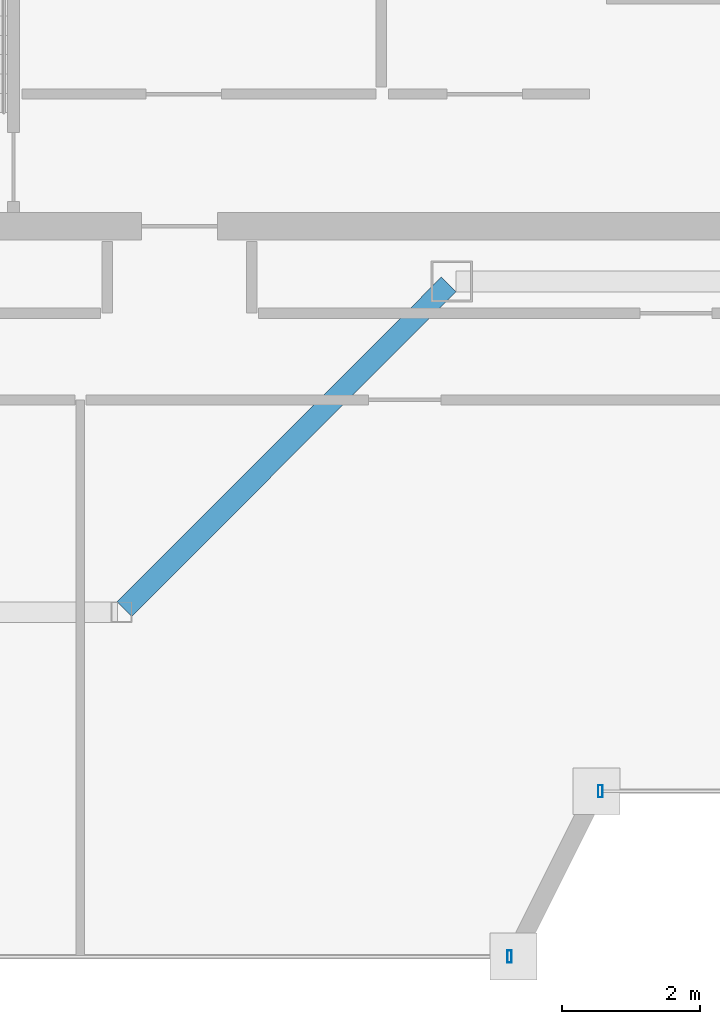
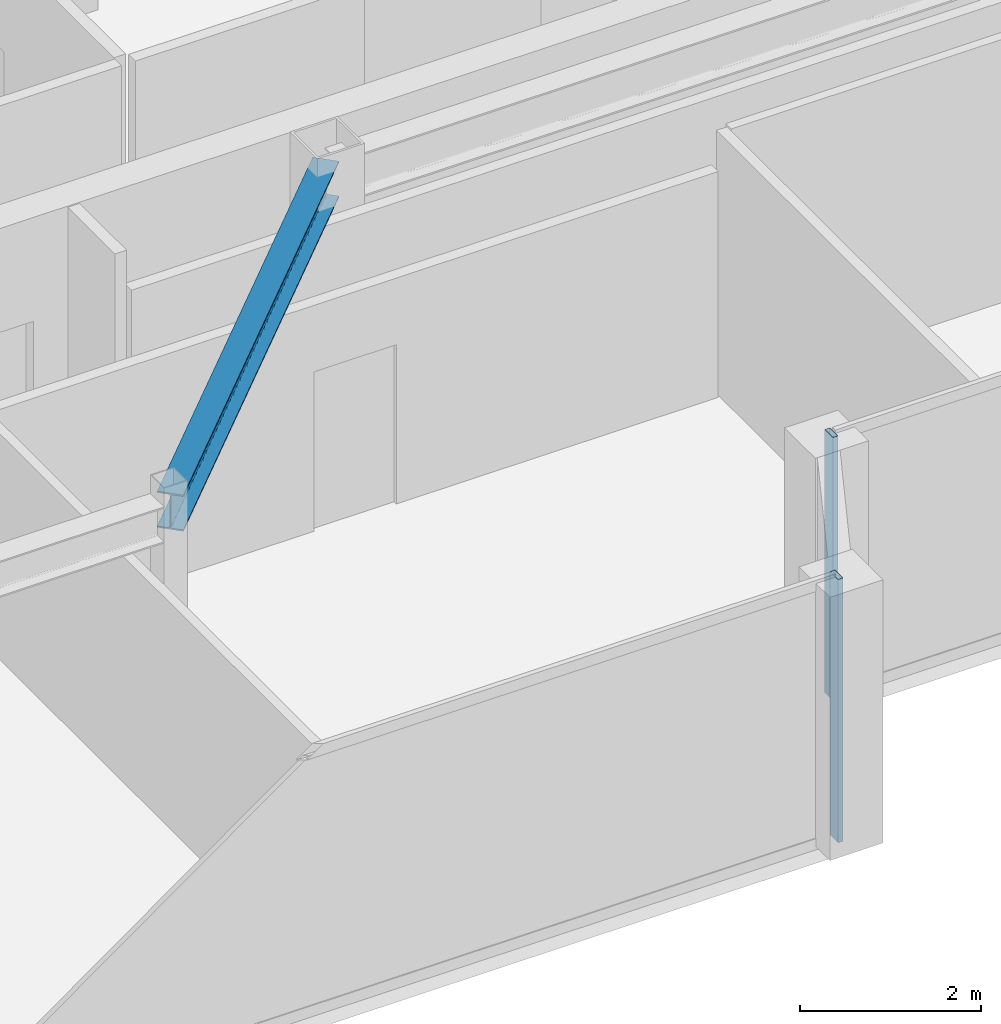
# One storey, part 6 of 24: 2 members, 1 beam, 2 elements without a shape of their own.
"""IFC4 building model written with IfcOpenShell, lengths in metres."""

from ifc_helpers import new_model, si_unit, direction, frame, origin, origin_2d, place, context, subcontext, project, spatial, hollow_rectangle, i_section, extrude, material, material_profile, profile_set, type_object, element, aggregate, save


model = new_model("IFC4")

# Units and contexts
model_context = context("Model", 3, precision=1e-05, world=origin(), true_north=direction((0.0, 1.0)))
body_context = subcontext(model_context, "Body", "Model", "MODEL_VIEW")
ifc_project = project(units=[si_unit("LENGTHUNIT", "METRE"), si_unit("AREAUNIT", "SQUARE_METRE"), si_unit("VOLUMEUNIT", "CUBIC_METRE"), si_unit("PLANEANGLEUNIT", "RADIAN"), si_unit("MASSUNIT", "GRAM", prefix="KILO")], contexts=[model_context])

# Site, building, storey
site_placement = place(None, origin())
site = spatial("IfcSite", under=ifc_project, at=site_placement, CompositionType="ELEMENT")
building_placement = place(site_placement, origin())
building = spatial("IfcBuilding", under=site, at=building_placement, Name="Saevonmaru Cultural Tower", CompositionType="ELEMENT")
storey_placement = place(building_placement, frame((0.0, 0.0, 299.0)))
storey = spatial("IfcBuildingStorey", under=building, at=storey_placement, Name="L71", CompositionType="ELEMENT", Elevation=299.0)

# Beam
ifc_material_1 = material(Name="Steel SM355", Category="steel")
ifc_material_profile_1 = material_profile(ifc_material_1, i_section(OverallWidth=0.300048828125, OverallDepth=0.488037109375, WebThickness=0.010986328125, FlangeThickness=0.01806640625, FilletRadius=0.02197265625, at=origin_2d()), Name="H-488x300x11x18")
ifc_profile_set_1 = profile_set([ifc_material_profile_1], Name="Steel SM355")
beam_type = type_object("IfcBeamType", Name="BM-G-H488", PredefinedType="BEAM", material=ifc_profile_set_1)
beam_placement = place(storey_placement, frame((18.850341796875, 37.642578125, 3.305908203125), z_axis=(0.706538566564, 0.707674539572, 0.0), x_axis=(-0.707674539572, 0.706538566564, 0.0)))
element("IfcBeam", 1, at=beam_placement, inside=storey, type_object=beam_type, Name="L71 West Atrium Girder 1", PredefinedType="BEAM", context=body_context, shape_type="SweptSolid", body=[
    extrude(i_section(OverallWidth=0.300048828125, OverallDepth=0.488037109375, WebThickness=0.010986328125, FlangeThickness=0.01806640625, FilletRadius=0.02197265625, at=origin_2d()), origin(), (0.0, 0.0, 1.0), 6.662353515625),
])

# Curtain wall, member
ifc_material_2 = material(Name="Satin Bronze Anodised Aluminium", Category="aluminium")
curtain_wall_type = type_object("IfcCurtainWallType", Name="CW-TYP-B", PredefinedType="NOTDEFINED", material=ifc_material_2)
curtain_wall_1_placement = place(storey_placement, origin())
curtain_wall_1 = element("IfcCurtainWall", 2, at=curtain_wall_1_placement, inside=storey, type_object=curtain_wall_type, Name="L71 Unitised Curtain Wall E2", PredefinedType="NOTDEFINED")
ifc_material_profile_2 = material_profile(ifc_material_2, hollow_rectangle(XDim=0.06494140625, YDim=0.179931640625, WallThickness=0.00390625, at=origin_2d()), Name="ALU-MULL-180x65x4")
ifc_profile_set_2 = profile_set([ifc_material_profile_2], Name="Satin Bronze Anodised Aluminium")
member_type = type_object("IfcMemberType", Name="ML-CW-180x65", PredefinedType="MULLION", material=ifc_profile_set_2)
member_1_placement = place(storey_placement, frame((24.43994140625, 32.60009765625, 0.0), z_axis=(0.0, 0.0, 1.0), x_axis=(1.0, 0.0, 0.0)))
member_1 = element("IfcMember", 3, at=member_1_placement, type_object=member_type, Name="CW-TW-L71-E2 mullion 2", PredefinedType="MULLION", context=body_context, shape_type="SweptSolid", body=[
    extrude(hollow_rectangle(XDim=0.06494140625, YDim=0.179931640625, WallThickness=0.00390625, at=origin_2d()), origin(), (0.0, 0.0, 1.0), 3.550048828125),
])
aggregate(curtain_wall_1, [member_1])

curtain_wall_2_placement = place(storey_placement, origin())
curtain_wall_2 = element("IfcCurtainWall", 4, at=curtain_wall_2_placement, inside=storey, type_object=curtain_wall_type, Name="L71 Unitised Curtain Wall E4", PredefinedType="NOTDEFINED")
member_2_placement = place(storey_placement, frame((25.760009765625, 35.0, 0.0), z_axis=(0.0, 0.0, 1.0), x_axis=(1.0, 0.0, 0.0)))
member_2 = element("IfcMember", 5, at=member_2_placement, type_object=member_type, Name="CW-TW-L71-E4 mullion 1", PredefinedType="MULLION", context=body_context, shape_type="SweptSolid", body=[
    extrude(hollow_rectangle(XDim=0.06494140625, YDim=0.179931640625, WallThickness=0.00390625, at=origin_2d()), origin(), (0.0, 0.0, 1.0), 3.550048828125),
])
aggregate(curtain_wall_2, [member_2])

save(model, "model.ifc")
